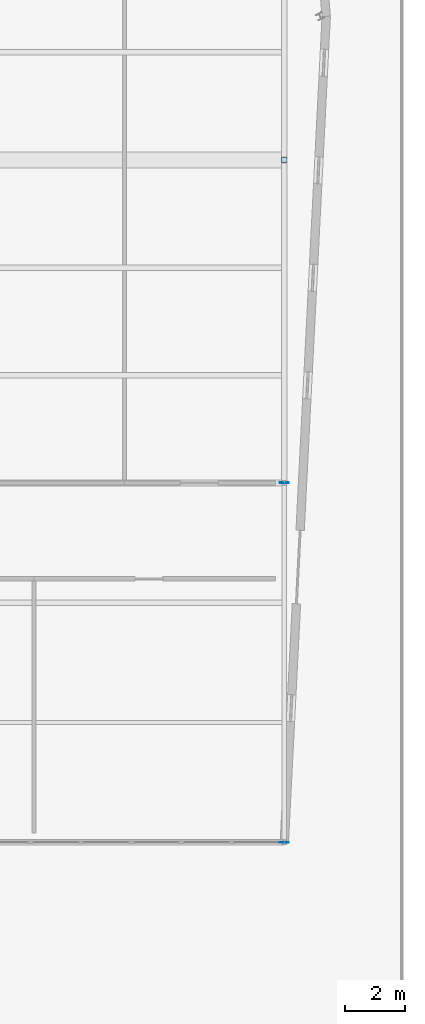
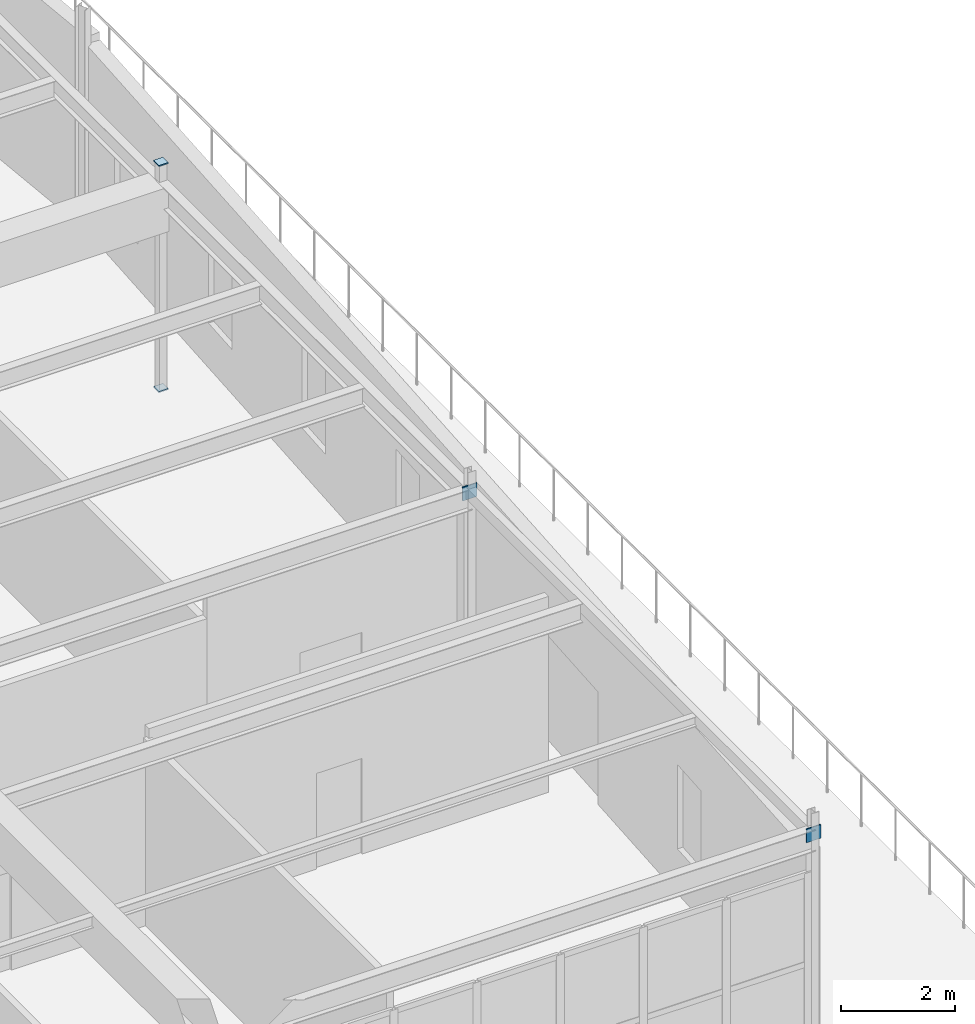
# One storey, part 151 of 199: 4 plates.
"""IFC4 building model written with IfcOpenShell, lengths in metres."""

from ifc_helpers import new_model, si_unit, direction, frame, origin, origin_2d, place, context, subcontext, project, spatial, rectangle, extrude, material, layer, layer_set, type_object, element, save


model = new_model("IFC4")

# Units and contexts
model_context = context("Model", 3, precision=1e-05, world=origin(), true_north=direction((0.0, 1.0)))
body_context = subcontext(model_context, "Body", "Model", "MODEL_VIEW")
ifc_project = project(units=[si_unit("LENGTHUNIT", "METRE"), si_unit("AREAUNIT", "SQUARE_METRE"), si_unit("VOLUMEUNIT", "CUBIC_METRE"), si_unit("PLANEANGLEUNIT", "RADIAN"), si_unit("MASSUNIT", "GRAM", prefix="KILO")], contexts=[model_context])

# Site, building, storey
site_placement = place(None, origin())
site = spatial("IfcSite", under=ifc_project, at=site_placement, CompositionType="ELEMENT")
building_placement = place(site_placement, origin())
building = spatial("IfcBuilding", under=site, at=building_placement, Name="Tarnwether General Hospital", CompositionType="ELEMENT")
storey_placement = place(building_placement, origin())
storey = spatial("IfcBuildingStorey", under=building, at=storey_placement, Name="L00", CompositionType="ELEMENT", Elevation=0.0)

# Plates
ifc_material = material(Name="Steel Grade 350 (350 MPa)", Category="steel")
ifc_layer = layer(ifc_material, 0.02490234375)
ifc_layer_set = layer_set([ifc_layer], Name="Steel Grade 350 (350 MPa)")
plate_type = type_object("IfcPlateType", Name="PT-GUS2", PredefinedType="USERDEFINED", material=ifc_layer_set)
for number, where, z_axis, x_axis, name in (
    (1, (192.0, 104.39990234375, -0.02490234375), (0.0, 0.0, 1.0), (1.0, 0.0, 0.0), "Hollow Section Welded End Cap Plate 0423"),
    (2, (192.0, 104.39990234375, 4.800048828125), (0.0, 0.0, 1.0), (1.0, 0.0, 0.0), "Hollow Section Welded End Cap Plate 0424"),
):
    element("IfcPlate", number, at=place(storey_placement, frame(where, z_axis=z_axis, x_axis=x_axis)), inside=storey, type_object=plate_type, Name=name, ObjectType="GUSSET", PredefinedType="USERDEFINED", context=body_context, shape_type="SweptSolid", body=[
        extrude(rectangle(XDim=0.18994140625, YDim=0.18994140625, at=origin_2d()), origin(), (0.0, 0.0, 1.0), 0.02490234375),
    ])
for number, where, z_axis, x_axis, name in (
    (3, (192.0, 81.58740234375, 4.175048828125), (0.0, 0.0, 1.0), (0.0, 1.0, 0.0), "Hollow Section Welded End Cap Plate 0903"),
    (4, (192.0, 93.612548828125, 4.175048828125), (0.0, 0.0, 1.0), (0.0, 1.0, 0.0), "Hollow Section Welded End Cap Plate 0904"),
):
    element("IfcPlate", number, at=place(storey_placement, frame(where, z_axis=z_axis, x_axis=x_axis)), inside=storey, type_object=plate_type, Name=name, ObjectType="GUSSET", PredefinedType="USERDEFINED", context=body_context, shape_type="SweptSolid", body=[
        extrude(rectangle(XDim=0.02490234375, YDim=0.2900390625, at=origin_2d()), origin(), (0.0, 0.0, 1.0), 0.2900390625),
    ])

save(model, "model.ifc")
